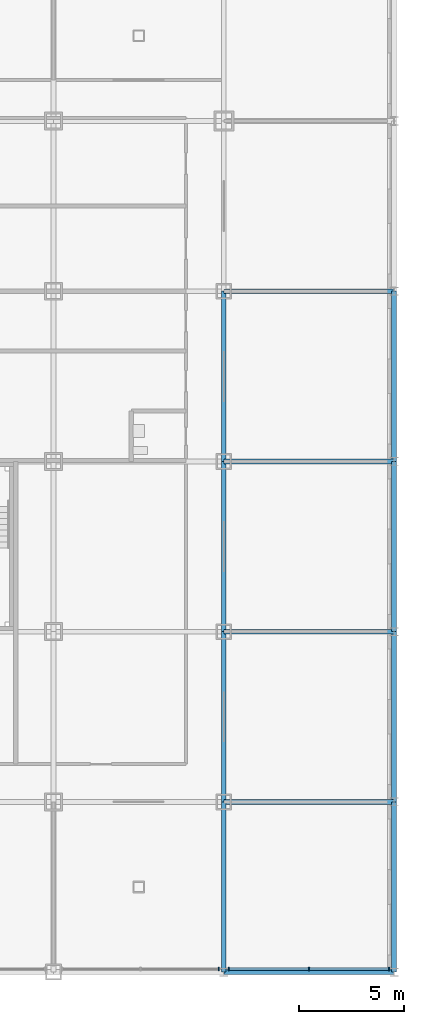
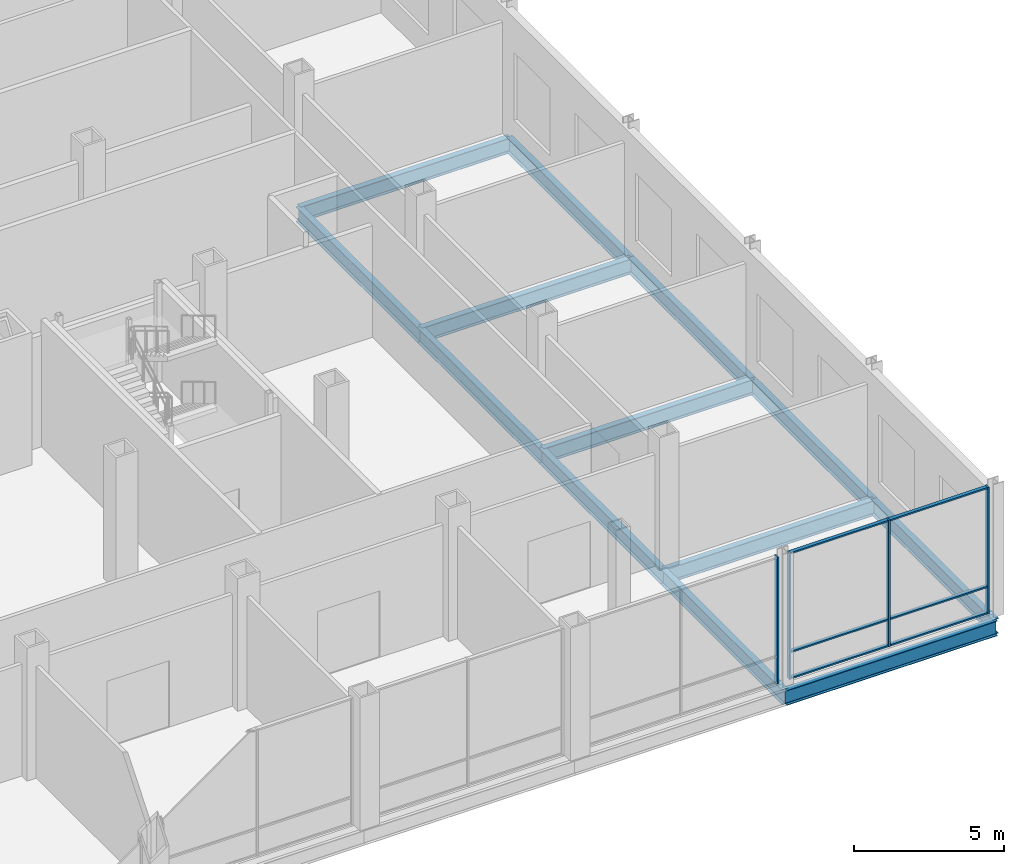
# One storey, part 15 of 26: 13 beams, 10 members, 2 elements without a shape of their own.
"""IFC4 building model written with IfcOpenShell, lengths in metres."""

from ifc_helpers import new_model, si_unit, direction, frame, origin, origin_2d, place, context, subcontext, project, spatial, rectangle, i_section, extrude, material, material_profile, profile_set, type_object, element, aggregate, save


model = new_model("IFC4")

# Units and contexts
model_context = context("Model", 3, precision=1e-05, world=origin(), true_north=direction((0.0, 1.0)))
body_context = subcontext(model_context, "Body", "Model", "MODEL_VIEW")
ifc_project = project(units=[si_unit("LENGTHUNIT", "METRE"), si_unit("AREAUNIT", "SQUARE_METRE"), si_unit("VOLUMEUNIT", "CUBIC_METRE"), si_unit("PLANEANGLEUNIT", "RADIAN"), si_unit("MASSUNIT", "GRAM", prefix="KILO")], contexts=[model_context])

# Site, building, storey
site_placement = place(None, origin())
site = spatial("IfcSite", under=ifc_project, at=site_placement, CompositionType="ELEMENT")
building_placement = place(site_placement, origin())
building = spatial("IfcBuilding", under=site, at=building_placement, Name="Kopane Lantern Tower", CompositionType="ELEMENT")
storey_placement = place(building_placement, frame((0.0, 0.0, 16.800048828125)))
storey = spatial("IfcBuildingStorey", under=building, at=storey_placement, Name="L03", CompositionType="ELEMENT", Elevation=16.800048828125)

# Beams
ifc_material_1 = material(Name="Steel S355JR", Category="steel")
ifc_material_profile_1 = material_profile(ifc_material_1, i_section(OverallWidth=0.22900390625, OverallDepth=0.6123046875, WebThickness=0.011962890625, FlangeThickness=0.01953125, FilletRadius=0.0126953125, at=origin_2d()), Name="UB 610x229x125")
ifc_profile_set_1 = profile_set([ifc_material_profile_1], Name="Steel S355JR")
beam_type = type_object("IfcBeamType", Name="GIRDER UB 610x229x125", PredefinedType="BEAM", material=ifc_profile_set_1)
for number, where, z_axis, x_axis, name in (
    (1, (56.699951171875, 0.0, -0.55615234375), (0.0, 1.0, 0.0), (-1.0, 0.0, 0.0), "Girder L03"),
    (2, (56.699951171875, 0.0, -0.55615234375), (1.0, 0.0, 0.0), (0.0, 1.0, 0.0), "Girder L03"),
):
    element("IfcBeam", number, at=place(storey_placement, frame(where, z_axis=z_axis, x_axis=x_axis)), inside=storey, type_object=beam_type, Name=name, PredefinedType="BEAM", context=body_context, shape_type="SweptSolid", body=[
        extrude(i_section(OverallWidth=0.22900390625, OverallDepth=0.6123046875, WebThickness=0.011962890625, FlangeThickness=0.01953125, FilletRadius=0.0126953125, at=origin_2d()), origin(), (0.0, 0.0, 1.0), 8.10009765625),
    ])
beam_1_placement = place(storey_placement, frame((56.699951171875, 8.10009765625, -0.55615234375), z_axis=(0.0, 1.0, 0.0), x_axis=(-1.0, 0.0, 0.0)))
element("IfcBeam", 3, at=beam_1_placement, inside=storey, type_object=beam_type, Name="Girder L03", PredefinedType="BEAM", context=body_context, shape_type="SweptSolid", body=[
    extrude(i_section(OverallWidth=0.22900390625, OverallDepth=0.6123046875, WebThickness=0.011962890625, FlangeThickness=0.01953125, FilletRadius=0.0126953125, at=origin_2d()), origin(), (0.0, 0.0, 1.0), 8.099853515625),
])
for number, where, z_axis, x_axis, name in (
    (4, (56.699951171875, 8.10009765625, -0.55615234375), (1.0, 0.0, 0.0), (0.0, 1.0, 0.0), "Girder L03"),
    (5, (56.699951171875, 16.199951171875, -0.55615234375), (0.0, 1.0, 0.0), (-1.0, 0.0, 0.0), "Girder L03"),
    (6, (56.699951171875, 16.199951171875, -0.55615234375), (1.0, 0.0, 0.0), (0.0, 1.0, 0.0), "Girder L03"),
):
    element("IfcBeam", number, at=place(storey_placement, frame(where, z_axis=z_axis, x_axis=x_axis)), inside=storey, type_object=beam_type, Name=name, PredefinedType="BEAM", context=body_context, shape_type="SweptSolid", body=[
        extrude(i_section(OverallWidth=0.22900390625, OverallDepth=0.6123046875, WebThickness=0.011962890625, FlangeThickness=0.01953125, FilletRadius=0.0126953125, at=origin_2d()), origin(), (0.0, 0.0, 1.0), 8.10009765625),
    ])
beam_2_placement = place(storey_placement, frame((56.699951171875, 24.300048828125, -0.55615234375), z_axis=(0.0, 1.0, 0.0), x_axis=(-1.0, 0.0, 0.0)))
element("IfcBeam", 7, at=beam_2_placement, inside=storey, type_object=beam_type, Name="Girder L03", PredefinedType="BEAM", context=body_context, shape_type="SweptSolid", body=[
    extrude(i_section(OverallWidth=0.22900390625, OverallDepth=0.6123046875, WebThickness=0.011962890625, FlangeThickness=0.01953125, FilletRadius=0.0126953125, at=origin_2d()), origin(), (0.0, 0.0, 1.0), 8.099853515625),
])
for number, where, z_axis, x_axis, name in (
    (8, (56.699951171875, 24.300048828125, -0.55615234375), (1.0, 0.0, 0.0), (0.0, 1.0, 0.0), "Girder L03"),
    (9, (56.699951171875, 32.39990234375, -0.55615234375), (1.0, 0.0, 0.0), (0.0, 1.0, 0.0), "Girder L03"),
    (10, (64.800048828125, 0.0, -0.55615234375), (0.0, 1.0, 0.0), (-1.0, 0.0, 0.0), "Girder L03"),
):
    element("IfcBeam", number, at=place(storey_placement, frame(where, z_axis=z_axis, x_axis=x_axis)), inside=storey, type_object=beam_type, Name=name, PredefinedType="BEAM", context=body_context, shape_type="SweptSolid", body=[
        extrude(i_section(OverallWidth=0.22900390625, OverallDepth=0.6123046875, WebThickness=0.011962890625, FlangeThickness=0.01953125, FilletRadius=0.0126953125, at=origin_2d()), origin(), (0.0, 0.0, 1.0), 8.10009765625),
    ])
beam_3_placement = place(storey_placement, frame((64.800048828125, 8.10009765625, -0.55615234375), z_axis=(0.0, 1.0, 0.0), x_axis=(-1.0, 0.0, 0.0)))
element("IfcBeam", 11, at=beam_3_placement, inside=storey, type_object=beam_type, Name="Girder L03", PredefinedType="BEAM", context=body_context, shape_type="SweptSolid", body=[
    extrude(i_section(OverallWidth=0.22900390625, OverallDepth=0.6123046875, WebThickness=0.011962890625, FlangeThickness=0.01953125, FilletRadius=0.0126953125, at=origin_2d()), origin(), (0.0, 0.0, 1.0), 8.099853515625),
])
beam_4_placement = place(storey_placement, frame((64.800048828125, 16.199951171875, -0.55615234375), z_axis=(0.0, 1.0, 0.0), x_axis=(-1.0, 0.0, 0.0)))
element("IfcBeam", 12, at=beam_4_placement, inside=storey, type_object=beam_type, Name="Girder L03", PredefinedType="BEAM", context=body_context, shape_type="SweptSolid", body=[
    extrude(i_section(OverallWidth=0.22900390625, OverallDepth=0.6123046875, WebThickness=0.011962890625, FlangeThickness=0.01953125, FilletRadius=0.0126953125, at=origin_2d()), origin(), (0.0, 0.0, 1.0), 8.10009765625),
])
beam_5_placement = place(storey_placement, frame((64.800048828125, 24.300048828125, -0.55615234375), z_axis=(0.0, 1.0, 0.0), x_axis=(-1.0, 0.0, 0.0)))
element("IfcBeam", 13, at=beam_5_placement, inside=storey, type_object=beam_type, Name="Girder L03", PredefinedType="BEAM", context=body_context, shape_type="SweptSolid", body=[
    extrude(i_section(OverallWidth=0.22900390625, OverallDepth=0.6123046875, WebThickness=0.011962890625, FlangeThickness=0.01953125, FilletRadius=0.0126953125, at=origin_2d()), origin(), (0.0, 0.0, 1.0), 8.099853515625),
])

# Curtain wall, member
ifc_material_2 = material(Name="Aluminium and clear glass", Category="aluminium")
curtain_wall_type = type_object("IfcCurtainWallType", Name="CURTAIN WALL CW2 PODIUM UPPER", PredefinedType="USERDEFINED", material=ifc_material_2)
curtain_wall_1_placement = place(storey_placement, origin())
curtain_wall_1 = element("IfcCurtainWall", 14, at=curtain_wall_1_placement, inside=storey, type_object=curtain_wall_type, Name="Curtain wall CW2 S L03", ObjectType="CURTAIN WALL", PredefinedType="USERDEFINED")
ifc_material_3 = material(Name="Aluminium", Category="aluminium")
ifc_material_profile_2 = material_profile(ifc_material_3, rectangle(XDim=0.06005859375, YDim=0.179931640625, at=origin_2d()), Name="AL 60x180")
ifc_profile_set_2 = profile_set([ifc_material_profile_2], Name="Aluminium")
member_type_1 = type_object("IfcMemberType", Name="MULLION CW2-M 60x180", PredefinedType="MULLION", material=ifc_profile_set_2)
member_1_placement = place(storey_placement, frame((56.46337890625, 0.14990234375, 0.0), z_axis=(0.0, 0.0, 1.0), x_axis=(1.0, 0.0, 0.0)))
member_1 = element("IfcMember", 15, at=member_1_placement, type_object=member_type_1, Name="CW2 mullion 3", PredefinedType="MULLION", context=body_context, shape_type="SweptSolid", body=[
    extrude(rectangle(XDim=0.06005859375, YDim=0.179931640625, at=origin_2d()), origin(), (0.0, 0.0, 1.0), 5.14990234375),
])
aggregate(curtain_wall_1, [member_1])

# Curtain wall, members
curtain_wall_2_placement = place(storey_placement, origin())
curtain_wall_2 = element("IfcCurtainWall", 16, at=curtain_wall_2_placement, inside=storey, type_object=curtain_wall_type, Name="Curtain wall CW2 S L03", ObjectType="CURTAIN WALL", PredefinedType="USERDEFINED")
member_2_placement = place(storey_placement, frame((56.9365234375, 0.14990234375, 0.0), z_axis=(0.0, 0.0, 1.0), x_axis=(1.0, 0.0, 0.0)))
member_2 = element("IfcMember", 17, at=member_2_placement, type_object=member_type_1, Name="CW2 mullion 1", PredefinedType="MULLION", context=body_context, shape_type="SweptSolid", body=[
    extrude(rectangle(XDim=0.06005859375, YDim=0.179931640625, at=origin_2d()), origin(), (0.0, 0.0, 1.0), 5.14990234375),
])
member_3_placement = place(storey_placement, frame((60.75, 0.14990234375, 0.0), z_axis=(0.0, 0.0, 1.0), x_axis=(1.0, 0.0, 0.0)))
member_3 = element("IfcMember", 18, at=member_3_placement, type_object=member_type_1, Name="CW2 mullion 2", PredefinedType="MULLION", context=body_context, shape_type="SweptSolid", body=[
    extrude(rectangle(XDim=0.06005859375, YDim=0.179931640625, at=origin_2d()), origin(), (0.0, 0.0, 1.0), 5.14990234375),
])
member_4_placement = place(storey_placement, frame((64.5634765625, 0.14990234375, 0.0), z_axis=(0.0, 0.0, 1.0), x_axis=(1.0, 0.0, 0.0)))
member_4 = element("IfcMember", 19, at=member_4_placement, type_object=member_type_1, Name="CW2 mullion 3", PredefinedType="MULLION", context=body_context, shape_type="SweptSolid", body=[
    extrude(rectangle(XDim=0.06005859375, YDim=0.179931640625, at=origin_2d()), origin(), (0.0, 0.0, 1.0), 5.14990234375),
])
ifc_material_4 = material(Name="Aluminium", Category="aluminium")
ifc_material_profile_3 = material_profile(ifc_material_4, rectangle(XDim=0.139892578125, YDim=0.06005859375, at=origin_2d()), Name="AL 140x60")
ifc_profile_set_3 = profile_set([ifc_material_profile_3], Name="Aluminium")
member_type_2 = type_object("IfcMemberType", Name="TRANSOM CW2-T 60x140", PredefinedType="USERDEFINED", material=ifc_profile_set_3)
member_5_placement = place(storey_placement, frame((56.966552734375, 0.14990234375, 0.030029296875), z_axis=(1.0, 0.0, 0.0), x_axis=(0.0, 1.0, 0.0)))
member_5 = element("IfcMember", 20, at=member_5_placement, type_object=member_type_2, Name="CW2 transom 1.1", ObjectType="TRANSOM", PredefinedType="USERDEFINED", context=body_context, shape_type="SweptSolid", body=[
    extrude(rectangle(XDim=0.139892578125, YDim=0.06005859375, at=origin_2d()), origin(), (0.0, 0.0, 1.0), 3.75341796875),
])
member_6_placement = place(storey_placement, frame((56.966552734375, 0.14990234375, 1.099853515625), z_axis=(1.0, 0.0, 0.0), x_axis=(0.0, 1.0, 0.0)))
member_6 = element("IfcMember", 21, at=member_6_placement, type_object=member_type_2, Name="CW2 transom 1.2", ObjectType="TRANSOM", PredefinedType="USERDEFINED", context=body_context, shape_type="SweptSolid", body=[
    extrude(rectangle(XDim=0.139892578125, YDim=0.06005859375, at=origin_2d()), origin(), (0.0, 0.0, 1.0), 3.75341796875),
])
member_7_placement = place(storey_placement, frame((56.966552734375, 0.14990234375, 5.119873046875), z_axis=(1.0, 0.0, 0.0), x_axis=(0.0, 1.0, 0.0)))
member_7 = element("IfcMember", 22, at=member_7_placement, type_object=member_type_2, Name="CW2 transom 1.3", ObjectType="TRANSOM", PredefinedType="USERDEFINED", context=body_context, shape_type="SweptSolid", body=[
    extrude(rectangle(XDim=0.139892578125, YDim=0.06005859375, at=origin_2d()), origin(), (0.0, 0.0, 1.0), 3.75341796875),
])
member_8_placement = place(storey_placement, frame((60.780029296875, 0.14990234375, 0.030029296875), z_axis=(1.0, 0.0, 0.0), x_axis=(0.0, 1.0, 0.0)))
member_8 = element("IfcMember", 23, at=member_8_placement, type_object=member_type_2, Name="CW2 transom 2.1", ObjectType="TRANSOM", PredefinedType="USERDEFINED", context=body_context, shape_type="SweptSolid", body=[
    extrude(rectangle(XDim=0.139892578125, YDim=0.06005859375, at=origin_2d()), origin(), (0.0, 0.0, 1.0), 3.75341796875),
])
member_9_placement = place(storey_placement, frame((60.780029296875, 0.14990234375, 1.099853515625), z_axis=(1.0, 0.0, 0.0), x_axis=(0.0, 1.0, 0.0)))
member_9 = element("IfcMember", 24, at=member_9_placement, type_object=member_type_2, Name="CW2 transom 2.2", ObjectType="TRANSOM", PredefinedType="USERDEFINED", context=body_context, shape_type="SweptSolid", body=[
    extrude(rectangle(XDim=0.139892578125, YDim=0.06005859375, at=origin_2d()), origin(), (0.0, 0.0, 1.0), 3.75341796875),
])
member_10_placement = place(storey_placement, frame((60.780029296875, 0.14990234375, 5.119873046875), z_axis=(1.0, 0.0, 0.0), x_axis=(0.0, 1.0, 0.0)))
member_10 = element("IfcMember", 25, at=member_10_placement, type_object=member_type_2, Name="CW2 transom 2.3", ObjectType="TRANSOM", PredefinedType="USERDEFINED", context=body_context, shape_type="SweptSolid", body=[
    extrude(rectangle(XDim=0.139892578125, YDim=0.06005859375, at=origin_2d()), origin(), (0.0, 0.0, 1.0), 3.75341796875),
])
aggregate(curtain_wall_2, [member_2, member_3, member_4, member_5, member_6, member_7, member_8, member_9, member_10])

save(model, "model.ifc")
